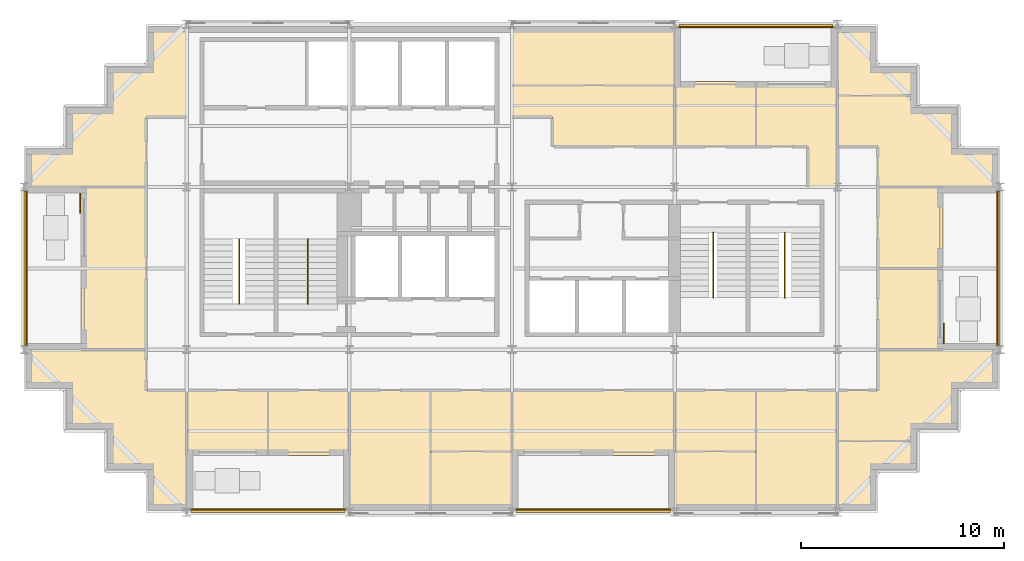
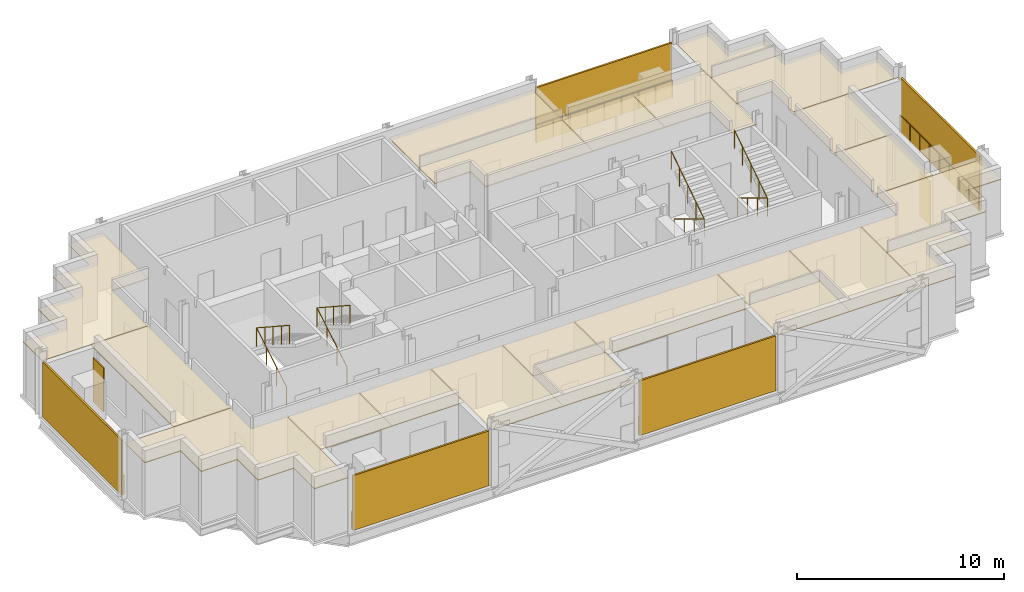
# One storey, part 9 of 10: 22 coverings, 9 railings, 7 shading devices.
"""IFC4 building model written with IfcOpenShell, lengths in metres."""

from ifc_helpers import new_model, si_unit, direction, frame, origin, origin_2d, place, context, subcontext, project, spatial, polyline, rectangle, circle, outline, extrude, material, layer, layer_set, type_object, element, save


model = new_model("IFC4")

# Units and contexts
model_context = context("Model", 3, precision=1e-05, world=origin(), true_north=direction((0.0, 1.0)))
body_context = subcontext(model_context, "Body", "Model", "MODEL_VIEW")
ifc_project = project(units=[si_unit("LENGTHUNIT", "METRE"), si_unit("AREAUNIT", "SQUARE_METRE"), si_unit("VOLUMEUNIT", "CUBIC_METRE"), si_unit("PLANEANGLEUNIT", "RADIAN"), si_unit("MASSUNIT", "GRAM", prefix="KILO")], contexts=[model_context])

# Site, building, storey
site_placement = place(None, origin())
site = spatial("IfcSite", under=ifc_project, at=site_placement, CompositionType="ELEMENT")
building_placement = place(site_placement, origin())
building = spatial("IfcBuilding", under=site, at=building_placement, Name="Immortelle Media Tower", CompositionType="ELEMENT")
storey_placement = place(building_placement, frame((0.0, 0.0, 229.0)))
storey = spatial("IfcBuildingStorey", under=building, at=storey_placement, Name="L49", CompositionType="ELEMENT", Elevation=229.0)

# Railings
ifc_material_1 = material(Name="Powder-coated aluminium fretwork panel, laminated glass backing", Category="aluminium")
railing_type_1 = type_object("IfcRailingType", Name="Fretwork balustrade 1100", PredefinedType="BALUSTRADE", material=ifc_material_1)
railing_1_placement = place(storey_placement, frame((8.199462890625, 0.139892578125, 0.0)))
element("IfcRailing", 1, at=railing_1_placement, inside=storey, type_object=railing_type_1, Name="Fretwork balustrade L49 S0", PredefinedType="BALUSTRADE", context=body_context, shape_type="SweptSolid", body=[
    extrude(circle(Radius=0.02490234375, at=origin_2d()), frame((0.0, 0.0, 1.0751953125), z_axis=(1.0, 0.0, 0.0), x_axis=(0.0, 1.0, 0.0)), (0.0, 0.0, 1.0), 7.59765625),
    extrude(circle(Radius=0.02001953125, at=origin_2d()), origin(), (0.0, 0.0, 1.0), 1.050048828125),
    extrude(circle(Radius=0.02001953125, at=origin_2d()), frame((0.94970703125, 0.0, 0.0)), (0.0, 0.0, 1.0), 1.050048828125),
    extrude(circle(Radius=0.02001953125, at=origin_2d()), frame((1.8994140625, 0.0, 0.0)), (0.0, 0.0, 1.0), 1.050048828125),
    extrude(circle(Radius=0.02001953125, at=origin_2d()), frame((2.84912109375, 0.0, 0.0)), (0.0, 0.0, 1.0), 1.050048828125),
    extrude(circle(Radius=0.02001953125, at=origin_2d()), frame((3.798828125, 0.0, 0.0)), (0.0, 0.0, 1.0), 1.050048828125),
    extrude(circle(Radius=0.02001953125, at=origin_2d()), frame((4.74853515625, 0.0, 0.0)), (0.0, 0.0, 1.0), 1.050048828125),
    extrude(circle(Radius=0.02001953125, at=origin_2d()), frame((5.6982421875, 0.0, 0.0)), (0.0, 0.0, 1.0), 1.050048828125),
    extrude(circle(Radius=0.02001953125, at=origin_2d()), frame((6.64794921875, 0.0, 0.0)), (0.0, 0.0, 1.0), 1.050048828125),
    extrude(circle(Radius=0.02001953125, at=origin_2d()), frame((7.59765625, 0.0, 0.0)), (0.0, 0.0, 1.0), 1.050048828125),
])
railing_2_placement = place(storey_placement, frame((24.202880859375, 0.139892578125, 0.0)))
element("IfcRailing", 2, at=railing_2_placement, inside=storey, type_object=railing_type_1, Name="Fretwork balustrade L49 S2", PredefinedType="BALUSTRADE", context=body_context, shape_type="SweptSolid", body=[
    extrude(circle(Radius=0.02490234375, at=origin_2d()), frame((0.0, 0.0, 1.0751953125), z_axis=(1.0, 0.0, 0.0), x_axis=(0.0, 1.0, 0.0)), (0.0, 0.0, 1.0), 7.59423828125),
    extrude(circle(Radius=0.02001953125, at=origin_2d()), origin(), (0.0, 0.0, 1.0), 1.050048828125),
    extrude(circle(Radius=0.02001953125, at=origin_2d()), frame((0.94921875, 0.0, 0.0)), (0.0, 0.0, 1.0), 1.050048828125),
    extrude(circle(Radius=0.02001953125, at=origin_2d()), frame((1.8984375, 0.0, 0.0)), (0.0, 0.0, 1.0), 1.050048828125),
    extrude(circle(Radius=0.02001953125, at=origin_2d()), frame((2.847900390625, 0.0, 0.0)), (0.0, 0.0, 1.0), 1.050048828125),
    extrude(circle(Radius=0.02001953125, at=origin_2d()), frame((3.797119140625, 0.0, 0.0)), (0.0, 0.0, 1.0), 1.050048828125),
    extrude(circle(Radius=0.02001953125, at=origin_2d()), frame((4.746337890625, 0.0, 0.0)), (0.0, 0.0, 1.0), 1.050048828125),
    extrude(circle(Radius=0.02001953125, at=origin_2d()), frame((5.69580078125, 0.0, 0.0)), (0.0, 0.0, 1.0), 1.050048828125),
    extrude(circle(Radius=0.02001953125, at=origin_2d()), frame((6.64501953125, 0.0, 0.0)), (0.0, 0.0, 1.0), 1.050048828125),
    extrude(circle(Radius=0.02001953125, at=origin_2d()), frame((7.59423828125, 0.0, 0.0)), (0.0, 0.0, 1.0), 1.050048828125),
])
railing_3_placement = place(storey_placement, frame((47.860107421875, 8.193115234375, 0.0)))
element("IfcRailing", 3, at=railing_3_placement, inside=storey, type_object=railing_type_1, Name="Fretwork balustrade L49 E0", PredefinedType="BALUSTRADE", context=body_context, shape_type="SweptSolid", body=[
    extrude(circle(Radius=0.02490234375, at=origin_2d()), frame((0.0, 0.0, 1.0751953125), z_axis=(0.0, 1.0, 0.0), x_axis=(-1.0, 0.0, 0.0)), (0.0, 0.0, 1.0), 7.61376953125),
    extrude(circle(Radius=0.02001953125, at=origin_2d()), origin(), (0.0, 0.0, 1.0), 1.050048828125),
    extrude(circle(Radius=0.02001953125, at=origin_2d()), frame((0.0, 0.95166015625, 0.0)), (0.0, 0.0, 1.0), 1.050048828125),
    extrude(circle(Radius=0.02001953125, at=origin_2d()), frame((0.0, 1.9033203125, 0.0)), (0.0, 0.0, 1.0), 1.050048828125),
    extrude(circle(Radius=0.02001953125, at=origin_2d()), frame((0.0, 2.855224609375, 0.0)), (0.0, 0.0, 1.0), 1.050048828125),
    extrude(circle(Radius=0.02001953125, at=origin_2d()), frame((0.0, 3.806884765625, 0.0)), (0.0, 0.0, 1.0), 1.050048828125),
    extrude(circle(Radius=0.02001953125, at=origin_2d()), frame((0.0, 4.758544921875, 0.0)), (0.0, 0.0, 1.0), 1.050048828125),
    extrude(circle(Radius=0.02001953125, at=origin_2d()), frame((0.0, 5.71044921875, 0.0)), (0.0, 0.0, 1.0), 1.050048828125),
    extrude(circle(Radius=0.02001953125, at=origin_2d()), frame((0.0, 6.662109375, 0.0)), (0.0, 0.0, 1.0), 1.050048828125),
    extrude(circle(Radius=0.02001953125, at=origin_2d()), frame((0.0, 7.61376953125, 0.0)), (0.0, 0.0, 1.0), 1.050048828125),
])
railing_4_placement = place(storey_placement, frame((39.800537109375, 23.860107421875, 0.0)))
element("IfcRailing", 4, at=railing_4_placement, inside=storey, type_object=railing_type_1, Name="Fretwork balustrade L49 N0", PredefinedType="BALUSTRADE", context=body_context, shape_type="SweptSolid", body=[
    extrude(circle(Radius=0.02490234375, at=origin_2d()), frame((0.0, 0.0, 1.0751953125), z_axis=(-1.0, 0.0, 0.0), x_axis=(0.0, -1.0, 0.0)), (0.0, 0.0, 1.0), 7.59765625),
    extrude(circle(Radius=0.02001953125, at=origin_2d()), origin(), (0.0, 0.0, 1.0), 1.050048828125),
    extrude(circle(Radius=0.02001953125, at=origin_2d()), frame((-0.94970703125, 0.0, 0.0)), (0.0, 0.0, 1.0), 1.050048828125),
    extrude(circle(Radius=0.02001953125, at=origin_2d()), frame((-1.8994140625, 0.0, 0.0)), (0.0, 0.0, 1.0), 1.050048828125),
    extrude(circle(Radius=0.02001953125, at=origin_2d()), frame((-2.84912109375, 0.0, 0.0)), (0.0, 0.0, 1.0), 1.050048828125),
    extrude(circle(Radius=0.02001953125, at=origin_2d()), frame((-3.798828125, 0.0, 0.0)), (0.0, 0.0, 1.0), 1.050048828125),
    extrude(circle(Radius=0.02001953125, at=origin_2d()), frame((-4.74853515625, 0.0, 0.0)), (0.0, 0.0, 1.0), 1.050048828125),
    extrude(circle(Radius=0.02001953125, at=origin_2d()), frame((-5.6982421875, 0.0, 0.0)), (0.0, 0.0, 1.0), 1.050048828125),
    extrude(circle(Radius=0.02001953125, at=origin_2d()), frame((-6.64794921875, 0.0, 0.0)), (0.0, 0.0, 1.0), 1.050048828125),
    extrude(circle(Radius=0.02001953125, at=origin_2d()), frame((-7.59765625, 0.0, 0.0)), (0.0, 0.0, 1.0), 1.050048828125),
])
railing_5_placement = place(storey_placement, frame((0.139892578125, 15.806884765625, 0.0)))
element("IfcRailing", 5, at=railing_5_placement, inside=storey, type_object=railing_type_1, Name="Fretwork balustrade L49 W0", PredefinedType="BALUSTRADE", context=body_context, shape_type="SweptSolid", body=[
    extrude(circle(Radius=0.02490234375, at=origin_2d()), frame((0.0, 0.0, 1.0751953125), z_axis=(0.0, -1.0, 0.0), x_axis=(1.0, 0.0, 0.0)), (0.0, 0.0, 1.0), 7.61376953125),
    extrude(circle(Radius=0.02001953125, at=origin_2d()), origin(), (0.0, 0.0, 1.0), 1.050048828125),
    extrude(circle(Radius=0.02001953125, at=origin_2d()), frame((0.0, -0.95166015625, 0.0)), (0.0, 0.0, 1.0), 1.050048828125),
    extrude(circle(Radius=0.02001953125, at=origin_2d()), frame((0.0, -1.9033203125, 0.0)), (0.0, 0.0, 1.0), 1.050048828125),
    extrude(circle(Radius=0.02001953125, at=origin_2d()), frame((0.0, -2.855224609375, 0.0)), (0.0, 0.0, 1.0), 1.050048828125),
    extrude(circle(Radius=0.02001953125, at=origin_2d()), frame((0.0, -3.806884765625, 0.0)), (0.0, 0.0, 1.0), 1.050048828125),
    extrude(circle(Radius=0.02001953125, at=origin_2d()), frame((0.0, -4.758544921875, 0.0)), (0.0, 0.0, 1.0), 1.050048828125),
    extrude(circle(Radius=0.02001953125, at=origin_2d()), frame((0.0, -5.71044921875, 0.0)), (0.0, 0.0, 1.0), 1.050048828125),
    extrude(circle(Radius=0.02001953125, at=origin_2d()), frame((0.0, -6.662109375, 0.0)), (0.0, 0.0, 1.0), 1.050048828125),
    extrude(circle(Radius=0.02001953125, at=origin_2d()), frame((0.0, -7.61376953125, 0.0)), (0.0, 0.0, 1.0), 1.050048828125),
])

# Shading devices
ifc_material_2 = material(Name="Pale aluminium louvre blades", Category="aluminium")
ifc_layer_1 = layer(ifc_material_2, 0.10009765625)
ifc_layer_set_1 = layer_set([ifc_layer_1], Name="Pale aluminium louvre blades")
shading_device_type_1 = type_object("IfcShadingDeviceType", Name="Jalousie screen 100", PredefinedType="JALOUSIE", material=ifc_layer_set_1)
shading_device_1_placement = place(storey_placement, frame((11.998291015625, 0.050048828125, 0.0), z_axis=(0.0, 0.0, 1.0), x_axis=(1.0, 0.0, 0.0)))
element("IfcShadingDevice", 6, at=shading_device_1_placement, inside=storey, type_object=shading_device_type_1, Name="Jalousie screen L49 S0", PredefinedType="JALOUSIE", context=body_context, shape_type="SweptSolid", body=[
    extrude(rectangle(XDim=7.597412109375, YDim=0.10009765625, at=origin_2d()), origin(), (0.0, 0.0, 1.0), 3.238037109375),
])
shading_device_2_placement = place(storey_placement, frame((28.0, 0.050048828125, 0.0), z_axis=(0.0, 0.0, 1.0), x_axis=(1.0, 0.0, 0.0)))
element("IfcShadingDevice", 7, at=shading_device_2_placement, inside=storey, type_object=shading_device_type_1, Name="Jalousie screen L49 S2", PredefinedType="JALOUSIE", context=body_context, shape_type="SweptSolid", body=[
    extrude(rectangle(XDim=7.593994140625, YDim=0.10009765625, at=origin_2d()), origin(), (0.0, 0.0, 1.0), 3.238037109375),
])
shading_device_3_placement = place(storey_placement, frame((47.949951171875, 12.0, 0.0), z_axis=(0.0, 0.0, 1.0), x_axis=(0.0, 1.0, 0.0)))
element("IfcShadingDevice", 8, at=shading_device_3_placement, inside=storey, type_object=shading_device_type_1, Name="Jalousie screen L49 E0", PredefinedType="JALOUSIE", context=body_context, shape_type="SweptSolid", body=[
    extrude(rectangle(XDim=7.614013671875, YDim=0.10009765625, at=origin_2d()), origin(), (0.0, 0.0, 1.0), 3.238037109375),
])
shading_device_4_placement = place(storey_placement, frame((36.001708984375, 23.949951171875, 0.0), z_axis=(0.0, 0.0, 1.0), x_axis=(-1.0, 0.0, 0.0)))
element("IfcShadingDevice", 9, at=shading_device_4_placement, inside=storey, type_object=shading_device_type_1, Name="Jalousie screen L49 N0", PredefinedType="JALOUSIE", context=body_context, shape_type="SweptSolid", body=[
    extrude(rectangle(XDim=7.597412109375, YDim=0.10009765625, at=origin_2d()), origin(), (0.0, 0.0, 1.0), 3.238037109375),
])
shading_device_5_placement = place(storey_placement, frame((0.050048828125, 12.0, 0.0), z_axis=(0.0, 0.0, 1.0), x_axis=(0.0, -1.0, 0.0)))
element("IfcShadingDevice", 10, at=shading_device_5_placement, inside=storey, type_object=shading_device_type_1, Name="Jalousie screen L49 W0", PredefinedType="JALOUSIE", context=body_context, shape_type="SweptSolid", body=[
    extrude(rectangle(XDim=7.614013671875, YDim=0.10009765625, at=origin_2d()), origin(), (0.0, 0.0, 1.0), 3.238037109375),
])
ifc_material_3 = material(Name="Pale aluminium louvre blades in a folding frame", Category="aluminium")
ifc_layer_2 = layer(ifc_material_3, 0.050048828125)
ifc_layer_set_2 = layer_set([ifc_layer_2], Name="Pale aluminium louvre blades in a folding frame")
shading_device_type_2 = type_object("IfcShadingDeviceType", Name="Louvred loggia shutter", PredefinedType="SHUTTER", material=ifc_layer_set_2)
for number, where, z_axis, x_axis, name in (
    (11, (45.22509765625, 8.800048828125, 0.0), (0.0, 0.0, 1.0), (0.0, 1.0, 0.0), "Loggia shutter L49 E0"),
    (12, (2.77490234375, 15.199951171875, 0.0), (0.0, 0.0, 1.0), (0.0, -1.0, 0.0), "Loggia shutter L49 W0"),
):
    element("IfcShadingDevice", number, at=place(storey_placement, frame(where, z_axis=z_axis, x_axis=x_axis)), inside=storey, type_object=shading_device_type_2, Name=name, PredefinedType="SHUTTER", context=body_context, shape_type="SweptSolid", body=[
        extrude(rectangle(XDim=1.0, YDim=0.050048828125, at=origin_2d()), origin(), (0.0, 0.0, 1.0), 2.60009765625),
    ])

# Railings
ifc_material_4 = material(Name="Stainless steel AISI 316", Category="steel")
railing_type_2 = type_object("IfcRailingType", Name="Stair guard 1100", PredefinedType="GUARDRAIL", material=ifc_material_4)
for number, where, name in (
    (13, (10.574951171875, 10.5400390625, 0.173828125), "Stair guard SW1"),
    (14, (13.949951171875, 10.5400390625, 0.173828125), "Stair guard SW2"),
):
    element("IfcRailing", number, at=place(storey_placement, frame(where)), inside=storey, type_object=railing_type_2, Name=name, PredefinedType="GUARDRAIL", context=body_context, shape_type="SweptSolid", body=[
        extrude(circle(Radius=0.02392578125, at=origin_2d()), frame((0.0, 0.0, 1.076171875), z_axis=(0.0, 0.857582100076, 0.514347102285), x_axis=(-1.0, 0.0, 0.0)), (0.0, 0.0, 1.0), 3.381591796875),
        extrude(circle(Radius=0.02392578125, at=origin_2d()), frame((0.0, 2.89990234375, 2.8154296875), z_axis=(0.0, -0.836827423118, 0.547466769693), x_axis=(1.0, 0.0, 0.0)), (0.0, 0.0, 1.0), 3.81201171875),
        extrude(circle(Radius=0.02099609375, at=origin_2d()), origin(), (0.0, 0.0, 1.0), 1.052001953125),
        extrude(circle(Radius=0.02099609375, at=origin_2d()), frame((0.0, 0.966552734375, 0.579833984375)), (0.0, 0.0, 1.0), 1.052001953125),
        extrude(circle(Radius=0.02099609375, at=origin_2d()), frame((0.0, 1.933349609375, 1.159423828125)), (0.0, 0.0, 1.0), 1.052001953125),
        extrude(circle(Radius=0.02099609375, at=origin_2d()), frame((0.0, 2.89990234375, 1.7392578125)), (0.0, 0.0, 1.0), 1.052001953125),
        extrude(circle(Radius=0.02099609375, at=origin_2d()), frame((0.0, 2.1025390625, 2.260986328125)), (0.0, 0.0, 1.0), 1.052001953125),
        extrude(circle(Radius=0.02099609375, at=origin_2d()), frame((0.0, 1.304931640625, 2.78271484375)), (0.0, 0.0, 1.0), 1.052001953125),
        extrude(circle(Radius=0.02099609375, at=origin_2d()), frame((0.0, 0.50732421875, 3.304443359375)), (0.0, 0.0, 1.0), 1.052001953125),
        extrude(circle(Radius=0.02099609375, at=origin_2d()), frame((0.0, -0.2900390625, 3.826171875)), (0.0, 0.0, 1.0), 1.052001953125),
    ])
for number, where, name in (
    (15, (33.89990234375, 13.4599609375, 0.173828125), "Stair guard SE1"),
    (16, (37.425048828125, 13.4599609375, 0.173828125), "Stair guard SE2"),
):
    element("IfcRailing", number, at=place(storey_placement, frame(where)), inside=storey, type_object=railing_type_2, Name=name, PredefinedType="GUARDRAIL", context=body_context, shape_type="SweptSolid", body=[
        extrude(circle(Radius=0.02392578125, at=origin_2d()), frame((0.0, 0.0, 1.076171875), z_axis=(0.0, -0.857582100076, 0.514347102285), x_axis=(1.0, 0.0, 0.0)), (0.0, 0.0, 1.0), 3.381591796875),
        extrude(circle(Radius=0.02392578125, at=origin_2d()), frame((0.0, -2.89990234375, 2.8154296875), z_axis=(0.0, 0.836827423118, 0.547466769693), x_axis=(-1.0, 0.0, 0.0)), (0.0, 0.0, 1.0), 3.81201171875),
        extrude(circle(Radius=0.02099609375, at=origin_2d()), origin(), (0.0, 0.0, 1.0), 1.052001953125),
        extrude(circle(Radius=0.02099609375, at=origin_2d()), frame((0.0, -0.966552734375, 0.579833984375)), (0.0, 0.0, 1.0), 1.052001953125),
        extrude(circle(Radius=0.02099609375, at=origin_2d()), frame((0.0, -1.933349609375, 1.159423828125)), (0.0, 0.0, 1.0), 1.052001953125),
        extrude(circle(Radius=0.02099609375, at=origin_2d()), frame((0.0, -2.89990234375, 1.7392578125)), (0.0, 0.0, 1.0), 1.052001953125),
        extrude(circle(Radius=0.02099609375, at=origin_2d()), frame((0.0, -2.1025390625, 2.260986328125)), (0.0, 0.0, 1.0), 1.052001953125),
        extrude(circle(Radius=0.02099609375, at=origin_2d()), frame((0.0, -1.304931640625, 2.78271484375)), (0.0, 0.0, 1.0), 1.052001953125),
        extrude(circle(Radius=0.02099609375, at=origin_2d()), frame((0.0, -0.50732421875, 3.304443359375)), (0.0, 0.0, 1.0), 1.052001953125),
        extrude(circle(Radius=0.02099609375, at=origin_2d()), frame((0.0, 0.2900390625, 3.826171875)), (0.0, 0.0, 1.0), 1.052001953125),
    ])

# Coverings
ifc_material_5 = material(Name="Mineral fibre tile ceiling")
ifc_layer_3 = layer(ifc_material_5, 0.050048828125)
ifc_layer_set_3 = layer_set([ifc_layer_3], Name="Mineral fibre tile ceiling")
covering_type = type_object("IfcCoveringType", Name="Suspended ceiling 50", PredefinedType="CEILING", material=ifc_layer_set_3)
covering_1_placement = place(storey_placement, frame((0.0, 0.0, 3.1220703125)))
element("IfcCovering", 17, at=covering_1_placement, inside=storey, type_object=covering_type, Name="Ceiling L49-001", PredefinedType="CEILING", context=body_context, shape_type="SweptSolid", body=[
    extrude(outline(polyline([(16.0, 2.800048828125), (16.0, 6.0), (20.0, 6.0), (20.0, 0.10009765625), (16.0, 0.10009765625), (16.0, 2.800048828125)])), origin(), (0.0, 0.0, 1.0), 0.050048828125),
])
covering_2_placement = place(storey_placement, frame((0.0, 0.0, 3.1220703125)))
element("IfcCovering", 18, at=covering_2_placement, inside=storey, type_object=covering_type, Name="Ceiling L49-002", PredefinedType="CEILING", context=body_context, shape_type="SweptSolid", body=[
    extrude(outline(polyline([(24.0, 3.0), (20.0, 3.0), (20.0, 6.0), (24.0, 6.0), (24.0, 3.0)])), origin(), (0.0, 0.0, 1.0), 0.050048828125),
])
covering_3_placement = place(storey_placement, frame((0.0, 0.0, 3.1220703125)))
element("IfcCovering", 19, at=covering_3_placement, inside=storey, type_object=covering_type, Name="Ceiling L49-003", PredefinedType="CEILING", context=body_context, shape_type="SweptSolid", body=[
    extrude(outline(polyline([(24.0, 2.800048828125), (24.0, 0.10009765625), (20.0, 0.10009765625), (20.0, 3.0), (24.0, 3.0), (24.0, 2.800048828125)])), origin(), (0.0, 0.0, 1.0), 0.050048828125),
])
covering_4_placement = place(storey_placement, frame((0.0, 0.0, 3.1220703125)))
element("IfcCovering", 20, at=covering_4_placement, inside=storey, type_object=covering_type, Name="Ceiling L49-004", PredefinedType="CEILING", context=body_context, shape_type="SweptSolid", body=[
    extrude(outline(polyline([(32.0, 6.0), (36.0, 6.0), (36.0, 3.0), (32.0, 3.0), (32.0, 6.0)])), origin(), (0.0, 0.0, 1.0), 0.050048828125),
])
covering_5_placement = place(storey_placement, frame((0.0, 0.0, 3.1220703125)))
element("IfcCovering", 21, at=covering_5_placement, inside=storey, type_object=covering_type, Name="Ceiling L49-005", PredefinedType="CEILING", context=body_context, shape_type="SweptSolid", body=[
    extrude(outline(polyline([(32.0, 3.0), (36.0, 3.0), (36.0, 0.10009765625), (32.0, 0.10009765625), (32.0, 2.800048828125), (32.0, 3.0)])), origin(), (0.0, 0.0, 1.0), 0.050048828125),
])
covering_6_placement = place(storey_placement, frame((0.0, 0.0, 3.1220703125)))
element("IfcCovering", 22, at=covering_6_placement, inside=storey, type_object=covering_type, Name="Ceiling L49-006", PredefinedType="CEILING", context=body_context, shape_type="SweptSolid", body=[
    extrude(outline(polyline([(40.0, 6.0), (40.0, 0.10009765625), (36.0, 0.10009765625), (36.0, 6.0), (40.0, 6.0)])), origin(), (0.0, 0.0, 1.0), 0.050048828125),
])
covering_7_placement = place(storey_placement, frame((0.0, 0.0, 3.1220703125)))
element("IfcCovering", 23, at=covering_7_placement, inside=storey, type_object=covering_type, Name="Ceiling L49-007", PredefinedType="CEILING", context=body_context, shape_type="SweptSolid", body=[
    extrude(outline(polyline([(8.0, 6.0), (12.0, 6.0), (12.0, 2.800048828125), (8.0, 2.800048828125), (8.0, 6.0)])), origin(), (0.0, 0.0, 1.0), 0.050048828125),
])
covering_8_placement = place(storey_placement, frame((0.0, 0.0, 3.1220703125)))
element("IfcCovering", 24, at=covering_8_placement, inside=storey, type_object=covering_type, Name="Ceiling L49-008", PredefinedType="CEILING", context=body_context, shape_type="SweptSolid", body=[
    extrude(outline(polyline([(16.0, 6.0), (16.0, 2.800048828125), (12.0, 2.800048828125), (12.0, 6.0), (16.0, 6.0)])), origin(), (0.0, 0.0, 1.0), 0.050048828125),
])
covering_9_placement = place(storey_placement, frame((0.0, 0.0, 3.1220703125)))
element("IfcCovering", 25, at=covering_9_placement, inside=storey, type_object=covering_type, Name="Ceiling L49-009", PredefinedType="CEILING", context=body_context, shape_type="SweptSolid", body=[
    extrude(outline(polyline([(24.0, 2.800048828125), (24.0, 6.0), (26.0, 6.0), (32.0, 6.0), (32.0, 2.800048828125), (24.0, 2.800048828125)])), origin(), (0.0, 0.0, 1.0), 0.050048828125),
])
covering_10_placement = place(storey_placement, frame((0.0, 0.0, 3.1220703125)))
element("IfcCovering", 26, at=covering_10_placement, inside=storey, type_object=covering_type, Name="Ceiling L49-010", PredefinedType="CEILING", context=body_context, shape_type="SweptSolid", body=[
    extrude(outline(polyline([(6.10009765625, 0.10009765625), (6.10009765625, 2.10009765625), (4.10009765625, 2.10009765625), (4.10009765625, 4.10009765625), (2.10009765625, 4.10009765625), (2.10009765625, 6.10009765625), (0.10009765625, 6.10009765625), (0.10009765625, 8.0), (2.800048828125, 8.0), (6.0, 8.0), (6.0, 6.0), (8.0, 6.0), (8.0, 2.800048828125), (8.0, 0.10009765625), (6.10009765625, 0.10009765625)])), origin(), (0.0, 0.0, 1.0), 0.050048828125),
])
covering_11_placement = place(storey_placement, frame((0.0, 0.0, 3.1220703125)))
element("IfcCovering", 27, at=covering_11_placement, inside=storey, type_object=covering_type, Name="Ceiling L49-011", PredefinedType="CEILING", context=body_context, shape_type="SweptSolid", body=[
    extrude(outline(polyline([(40.0, 6.0), (42.0, 6.0), (42.0, 8.0), (44.0, 8.0), (45.199951171875, 8.0), (47.89990234375, 8.0), (47.89990234375, 6.10009765625), (45.89990234375, 6.10009765625), (45.89990234375, 4.10009765625), (44.0, 4.10009765625), (43.89990234375, 4.10009765625), (43.89990234375, 3.5), (40.0, 3.5), (40.0, 6.0)])), origin(), (0.0, 0.0, 1.0), 0.050048828125),
])
covering_12_placement = place(storey_placement, frame((0.0, 0.0, 3.1220703125)))
element("IfcCovering", 28, at=covering_12_placement, inside=storey, type_object=covering_type, Name="Ceiling L49-012", PredefinedType="CEILING", context=body_context, shape_type="SweptSolid", body=[
    extrude(outline(polyline([(41.89990234375, 2.10009765625), (41.89990234375, 0.10009765625), (40.0, 0.10009765625), (40.0, 3.5), (43.89990234375, 3.5), (43.89990234375, 2.10009765625), (41.89990234375, 2.10009765625)])), origin(), (0.0, 0.0, 1.0), 0.050048828125),
])
covering_13_placement = place(storey_placement, frame((0.0, 0.0, 3.1220703125)))
element("IfcCovering", 29, at=covering_13_placement, inside=storey, type_object=covering_type, Name="Ceiling L49-013", PredefinedType="CEILING", context=body_context, shape_type="SweptSolid", body=[
    extrude(outline(polyline([(6.0, 8.0), (2.800048828125, 8.0), (2.800048828125, 16.0), (6.0, 16.0), (6.0, 8.0)])), origin(), (0.0, 0.0, 1.0), 0.050048828125),
])
covering_14_placement = place(storey_placement, frame((0.0, 0.0, 3.1220703125)))
element("IfcCovering", 30, at=covering_14_placement, inside=storey, type_object=covering_type, Name="Ceiling L49-014", PredefinedType="CEILING", context=body_context, shape_type="SweptSolid", body=[
    extrude(outline(polyline([(42.0, 8.0), (42.0, 12.0), (45.199951171875, 12.0), (45.199951171875, 8.0), (42.0, 8.0)])), origin(), (0.0, 0.0, 1.0), 0.050048828125),
])
covering_15_placement = place(storey_placement, frame((0.0, 0.0, 3.1220703125)))
element("IfcCovering", 31, at=covering_15_placement, inside=storey, type_object=covering_type, Name="Ceiling L49-015", PredefinedType="CEILING", context=body_context, shape_type="SweptSolid", body=[
    extrude(outline(polyline([(42.0, 16.0), (45.199951171875, 16.0), (45.199951171875, 12.0), (42.0, 12.0), (42.0, 16.0)])), origin(), (0.0, 0.0, 1.0), 0.050048828125),
])
covering_16_placement = place(storey_placement, frame((0.0, 0.0, 3.1220703125)))
element("IfcCovering", 32, at=covering_16_placement, inside=storey, type_object=covering_type, Name="Ceiling L49-016", PredefinedType="CEILING", context=body_context, shape_type="SweptSolid", body=[
    extrude(outline(polyline([(2.800048828125, 16.0), (0.10009765625, 16.0), (0.10009765625, 17.89990234375), (2.10009765625, 17.89990234375), (2.10009765625, 19.89990234375), (4.10009765625, 19.89990234375), (4.10009765625, 20.0), (4.10009765625, 21.89990234375), (6.10009765625, 21.89990234375), (6.10009765625, 23.89990234375), (8.0, 23.89990234375), (8.0, 20.0), (8.0, 19.449951171875), (6.0, 19.449951171875), (6.0, 16.0), (2.800048828125, 16.0)])), origin(), (0.0, 0.0, 1.0), 0.050048828125),
])
covering_17_placement = place(storey_placement, frame((0.0, 0.0, 3.1220703125)))
element("IfcCovering", 33, at=covering_17_placement, inside=storey, type_object=covering_type, Name="Ceiling L49-017", PredefinedType="CEILING", context=body_context, shape_type="SweptSolid", body=[
    extrude(outline(polyline([(45.89990234375, 17.89990234375), (47.89990234375, 17.89990234375), (47.89990234375, 16.0), (45.199951171875, 16.0), (44.0, 16.0), (42.0, 16.0), (42.0, 18.0), (40.0, 18.0), (40.0, 20.5), (43.89990234375, 20.5), (43.89990234375, 19.89990234375), (44.0, 19.89990234375), (45.89990234375, 19.89990234375), (45.89990234375, 17.89990234375)])), origin(), (0.0, 0.0, 1.0), 0.050048828125),
])
covering_18_placement = place(storey_placement, frame((0.0, 0.0, 3.1220703125)))
element("IfcCovering", 34, at=covering_18_placement, inside=storey, type_object=covering_type, Name="Ceiling L49-018", PredefinedType="CEILING", context=body_context, shape_type="SweptSolid", body=[
    extrude(outline(polyline([(40.0, 21.199951171875), (40.0, 23.89990234375), (41.89990234375, 23.89990234375), (41.89990234375, 21.89990234375), (43.89990234375, 21.89990234375), (43.89990234375, 20.5), (40.0, 20.5), (40.0, 21.199951171875)])), origin(), (0.0, 0.0, 1.0), 0.050048828125),
])
covering_19_placement = place(storey_placement, frame((0.0, 0.0, 3.1220703125)))
element("IfcCovering", 35, at=covering_19_placement, inside=storey, type_object=covering_type, Name="Ceiling L49-019", PredefinedType="CEILING", context=body_context, shape_type="SweptSolid", body=[
    extrude(outline(polyline([(32.0, 18.0), (32.0, 21.199951171875), (36.0, 21.199951171875), (36.0, 18.0), (32.0, 18.0)])), origin(), (0.0, 0.0, 1.0), 0.050048828125),
])
covering_20_placement = place(storey_placement, frame((0.0, 0.0, 3.1220703125)))
element("IfcCovering", 36, at=covering_20_placement, inside=storey, type_object=covering_type, Name="Ceiling L49-020", PredefinedType="CEILING", context=body_context, shape_type="SweptSolid", body=[
    extrude(outline(polyline([(38.550048828125, 18.0), (36.0, 18.0), (36.0, 21.199951171875), (40.0, 21.199951171875), (40.0, 18.0), (40.0, 16.0), (38.550048828125, 16.0), (38.550048828125, 18.0)])), origin(), (0.0, 0.0, 1.0), 0.050048828125),
])
covering_21_placement = place(storey_placement, frame((0.0, 0.0, 3.1220703125)))
element("IfcCovering", 37, at=covering_21_placement, inside=storey, type_object=covering_type, Name="Ceiling L49-021", PredefinedType="CEILING", context=body_context, shape_type="SweptSolid", body=[
    extrude(outline(polyline([(26.0, 18.0), (26.0, 19.449951171875), (24.0, 19.449951171875), (24.0, 21.0), (32.0, 21.0), (32.0, 18.0), (27.0, 18.0), (26.0, 18.0)])), origin(), (0.0, 0.0, 1.0), 0.050048828125),
])
covering_22_placement = place(storey_placement, frame((0.0, 0.0, 3.1220703125)))
element("IfcCovering", 38, at=covering_22_placement, inside=storey, type_object=covering_type, Name="Ceiling L49-022", PredefinedType="CEILING", context=body_context, shape_type="SweptSolid", body=[
    extrude(outline(polyline([(24.0, 21.199951171875), (24.0, 23.89990234375), (32.0, 23.89990234375), (32.0, 21.199951171875), (32.0, 21.0), (24.0, 21.0), (24.0, 21.199951171875)])), origin(), (0.0, 0.0, 1.0), 0.050048828125),
])

save(model, "model.ifc")
